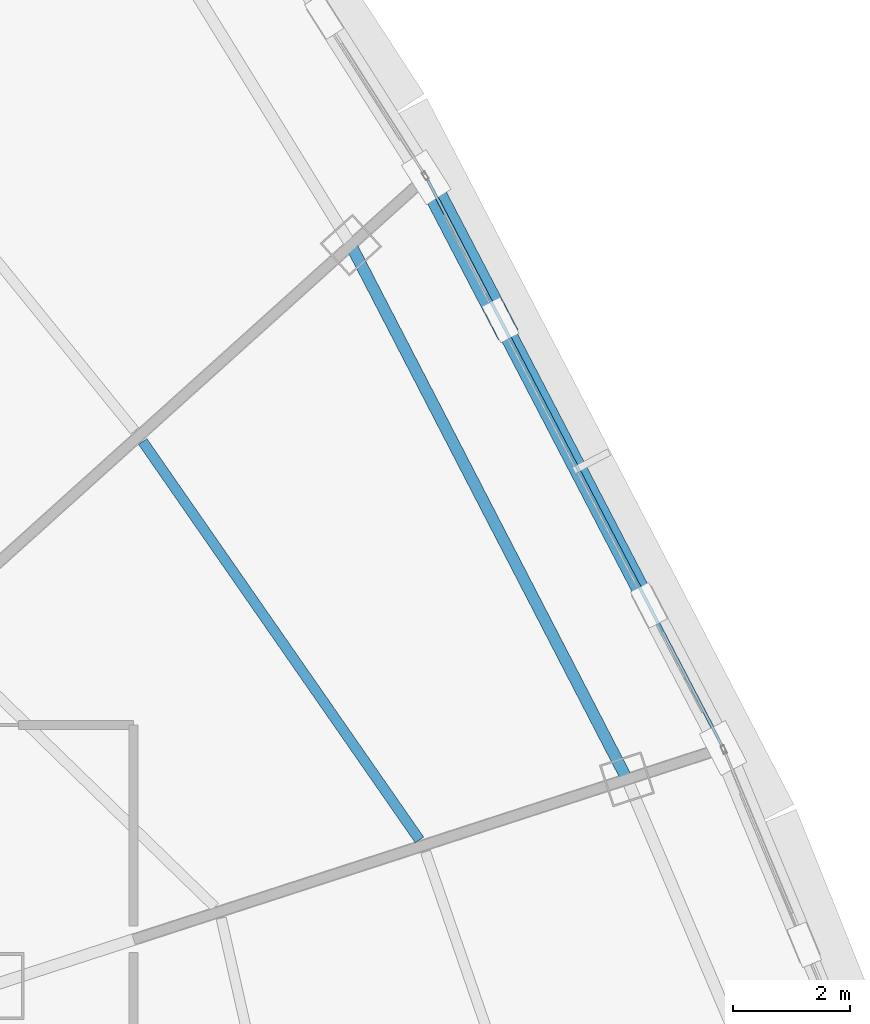
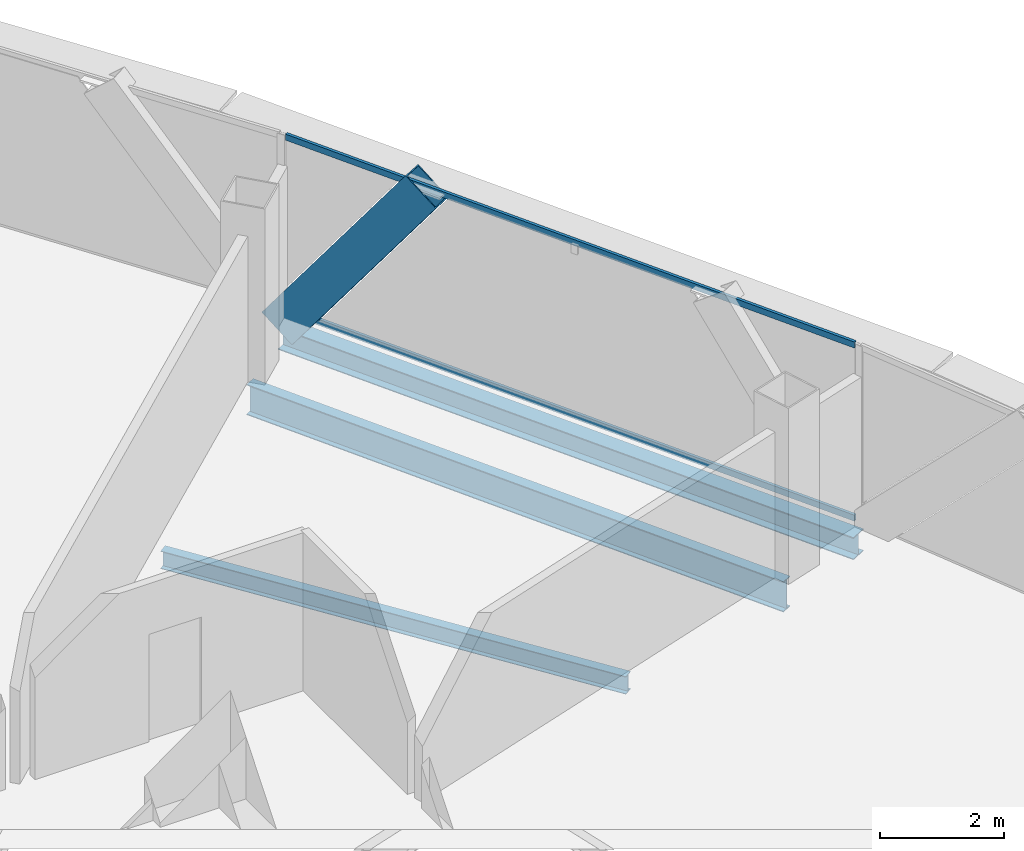
# One storey, part 18 of 35: 3 beams, 3 members, 1 element without a shape of its own.
"""IFC4 building model written with IfcOpenShell, lengths in metres."""

from ifc_helpers import new_model, si_unit, direction, frame, origin, origin_2d, place, context, subcontext, project, spatial, hollow_rectangle, i_section, extrude, source, transform, mapped, material, layer, layer_set, material_profile, profile_set, type_object, element, aggregate, save


model = new_model("IFC4")

# Units and contexts
model_context = context("Model", 3, precision=1e-05, world=origin(), true_north=direction((0.0, 1.0)))
body_context = subcontext(model_context, "Body", "Model", "MODEL_VIEW")
ifc_project = project(units=[si_unit("LENGTHUNIT", "METRE"), si_unit("AREAUNIT", "SQUARE_METRE"), si_unit("VOLUMEUNIT", "CUBIC_METRE"), si_unit("PLANEANGLEUNIT", "RADIAN"), si_unit("MASSUNIT", "GRAM", prefix="KILO"), si_unit("THERMODYNAMICTEMPERATUREUNIT", "KELVIN"), si_unit("POWERUNIT", "WATT")], contexts=[model_context])

# Site, building, storey
site_placement = place(None, origin())
site = spatial("IfcSite", under=ifc_project, at=site_placement, CompositionType="ELEMENT")
building_placement = place(site_placement, origin())
building = spatial("IfcBuilding", under=site, at=building_placement, Name="Yunzhuo Pagoda Commons", CompositionType="ELEMENT")
storey_placement = place(building_placement, frame((0.0, 0.0, 303.669921875)))
storey = spatial("IfcBuildingStorey", under=building, at=storey_placement, Name="L76", CompositionType="ELEMENT", Elevation=303.669921875)

# Beams
ifc_material_1 = material(Name="Structural steel Q355B", Category="steel")
ifc_material_profile_1 = material_profile(ifc_material_1, i_section(OverallWidth=0.199951171875, OverallDepth=0.60009765625, WebThickness=0.010986328125, FlangeThickness=0.01708984375, at=origin_2d()), Name="Structural steel Q355B")
ifc_profile_set_1 = profile_set([ifc_material_profile_1], Name="Structural steel Q355B")
beam_type_1 = type_object("IfcBeamType", Name="B-RG3 Beam HN 600x200x11x17", PredefinedType="BEAM", material=ifc_profile_set_1)
shared_shape_1 = source(origin(), body_context, "Body", "SweptSolid", [
    extrude(i_section(OverallWidth=0.199951171875, OverallDepth=0.60009765625, WebThickness=0.010986328125, FlangeThickness=0.01708984375, at=origin_2d()), origin(), (0.0, 0.0, 1.0), 10.3017578125),
])
beam_1_placement = place(storey_placement, frame((71.302490234375, 41.271484375, -0.559814453125), z_axis=(-0.459070867827, 0.888399650108, 0.0), x_axis=(-0.888399650108, -0.459070867827, 0.0)))
element("IfcBeam", 1, at=beam_1_placement, inside=storey, type_object=beam_type_1, Name="L76 column-ring beam 6", PredefinedType="BEAM", context=body_context, shape_type="MappedRepresentation", body=[
    mapped(shared_shape_1, transform((0.0, 0.0, 0.0), scale=1.0)),
])
ifc_material_profile_2 = material_profile(ifc_material_1, i_section(OverallWidth=0.175048828125, OverallDepth=0.35009765625, WebThickness=0.007080078125, FlangeThickness=0.010986328125, at=origin_2d()), Name="Structural steel Q355B")
ifc_profile_set_2 = profile_set([ifc_material_profile_2], Name="Structural steel Q355B")
beam_type_2 = type_object("IfcBeamType", Name="B-JS2 Joist HN 350x175x7x11", PredefinedType="JOIST", material=ifc_profile_set_2)
shared_shape_2 = source(origin(), body_context, "Body", "SweptSolid", [
    extrude(i_section(OverallWidth=0.175048828125, OverallDepth=0.35009765625, WebThickness=0.007080078125, FlangeThickness=0.010986328125, at=origin_2d()), origin(), (0.0, 0.0, 1.0), 8.31103515625),
])
beam_2_placement = place(storey_placement, frame((67.748046875, 40.232421875, -0.434814453125), z_axis=(-0.570615989364, 0.821217019236, 0.0), x_axis=(-0.821217019236, -0.570615989364, 0.0)))
element("IfcBeam", 2, at=beam_2_placement, inside=storey, type_object=beam_type_2, Name="L76 composite ring joist 2.6", PredefinedType="JOIST", context=body_context, shape_type="MappedRepresentation", body=[
    mapped(shared_shape_2, transform((0.0, 0.0, 0.0), scale=1.0)),
])
ifc_material_profile_3 = material_profile(ifc_material_1, i_section(OverallWidth=0.300048828125, OverallDepth=0.43994140625, WebThickness=0.010986328125, FlangeThickness=0.01806640625, at=origin_2d()), Name="Structural steel Q355B")
ifc_profile_set_3 = profile_set([ifc_material_profile_3], Name="Structural steel Q355B")
beam_type_3 = type_object("IfcBeamType", Name="B-SP2 Beam HM 440x300x11x18", PredefinedType="BEAM", material=ifc_profile_set_3)
shared_shape_3 = source(origin(), body_context, "Body", "SweptSolid", [
    extrude(i_section(OverallWidth=0.300048828125, OverallDepth=0.43994140625, WebThickness=0.010986328125, FlangeThickness=0.01806640625, at=origin_2d()), origin(), (0.0, 0.0, 1.0), 11.022216796875),
])
beam_3_placement = place(storey_placement, frame((72.949951171875, 41.806640625, -0.47998046875), z_axis=(-0.461491516084, 0.887144622135, 0.0), x_axis=(-0.887144622135, -0.461491516084, 0.0)))
element("IfcBeam", 3, at=beam_3_placement, inside=storey, type_object=beam_type_3, Name="L76 facade edge spandrel beam F2.2", PredefinedType="BEAM", context=body_context, shape_type="MappedRepresentation", body=[
    mapped(shared_shape_3, transform((0.0, 0.0, 0.0), scale=1.0)),
])

# Member
ifc_material_profile_4 = material_profile(ifc_material_1, hollow_rectangle(XDim=0.3798828125, YDim=0.719970703125, WallThickness=0.02001953125, at=origin_2d()), Name="Structural steel Q355B")
ifc_profile_set_4 = profile_set([ifc_material_profile_4], Name="Structural steel Q355B")
member_type_1 = type_object("IfcMemberType", Name="M-DL3 Brace BOX 720x380x20", PredefinedType="BRACE", material=ifc_profile_set_4)
shared_shape_4 = source(origin(), body_context, "Body", "SweptSolid", [
    extrude(hollow_rectangle(XDim=0.3798828125, YDim=0.719970703125, WallThickness=0.02001953125, at=origin_2d()), origin(), (0.0, 0.0, 1.0), 4.637451171875),
])
member_1_placement = place(storey_placement, frame((67.86328125, 51.5849609375, -0.260009765625), z_axis=(0.274229639101, -0.527137910601, 0.804315689419), x_axis=(0.887135553704, 0.461508948292, 0.0)))
element("IfcMember", 4, at=member_1_placement, inside=storey, type_object=member_type_1, Name="L76 facade diamond brace F2.2R", PredefinedType="BRACE", context=body_context, shape_type="MappedRepresentation", body=[
    mapped(shared_shape_4, transform((0.0, 0.0, 0.0), scale=1.0)),
])

# Curtain wall, members
ifc_material_2 = material(Name="Anodized aluminium 6063-T6", Category="aluminium")
ifc_layer = layer(ifc_material_2, 0.139892578125)
ifc_layer_set = layer_set([ifc_layer], Name="Anodized aluminium 6063-T6")
curtain_wall_type = type_object("IfcCurtainWallType", Name="CW-HI High-Zone Ribbon Curtain Wall", PredefinedType="NOTDEFINED", material=ifc_layer_set)
curtain_wall_placement = place(storey_placement, origin())
curtain_wall = element("IfcCurtainWall", 5, at=curtain_wall_placement, inside=storey, type_object=curtain_wall_type, Name="L76 curtain wall CW-L76-F2B3", PredefinedType="NOTDEFINED")
ifc_material_profile_5 = material_profile(ifc_material_2, hollow_rectangle(XDim=0.054931640625, YDim=0.1201171875, WallThickness=0.00341796875, at=origin_2d()), Name="Anodized aluminium 6063-T6")
ifc_profile_set_5 = profile_set([ifc_material_profile_5], Name="Anodized aluminium 6063-T6")
member_type_2 = type_object("IfcMemberType", Name="CW-HI-T Transom RHS 120x55x3.5", PredefinedType="USERDEFINED", material=ifc_profile_set_5)
shared_shape_5 = source(origin(), body_context, "Body", "SweptSolid", [
    extrude(hollow_rectangle(XDim=0.054931640625, YDim=0.1201171875, WallThickness=0.00341796875, at=origin_2d()), origin(), (0.0, 0.0, 1.0), 10.90234375),
])
member_2_placement = place(storey_placement, frame((72.92236328125, 41.85986328125, 0.027587890625), z_axis=(-0.461505732597, 0.887137226578, 0.0), x_axis=(-0.887137226578, -0.461505732597, 0.0)))
member_2 = element("IfcMember", 6, at=member_2_placement, type_object=member_type_2, Name="CW transom 1.1", ObjectType="TRANSOM", PredefinedType="USERDEFINED", context=body_context, shape_type="MappedRepresentation", body=[
    mapped(shared_shape_5, transform((0.0, 0.0, 0.0), scale=1.0)),
])
member_3_placement = place(storey_placement, frame((72.92236328125, 41.85986328125, 3.442626953125), z_axis=(-0.461505732597, 0.887137226578, 0.0), x_axis=(-0.887137226578, -0.461505732597, 0.0)))
member_3 = element("IfcMember", 7, at=member_3_placement, type_object=member_type_2, Name="CW transom 1.2", ObjectType="TRANSOM", PredefinedType="USERDEFINED", context=body_context, shape_type="MappedRepresentation", body=[
    mapped(shared_shape_5, transform((0.0, 0.0, 0.0), scale=1.0)),
])
aggregate(curtain_wall, [member_2, member_3])

save(model, "model.ifc")
